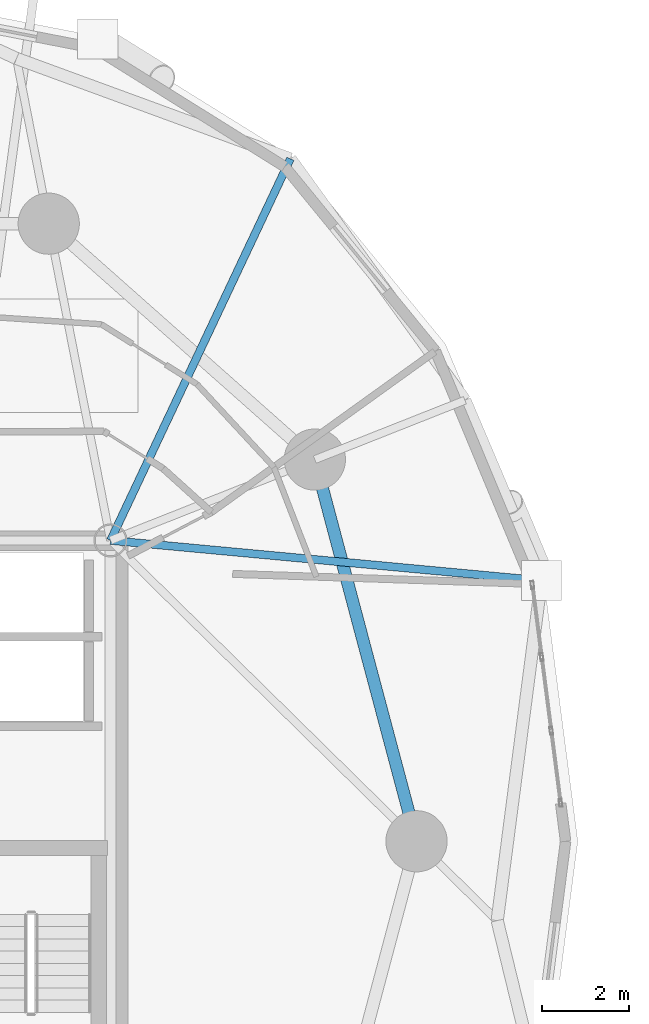
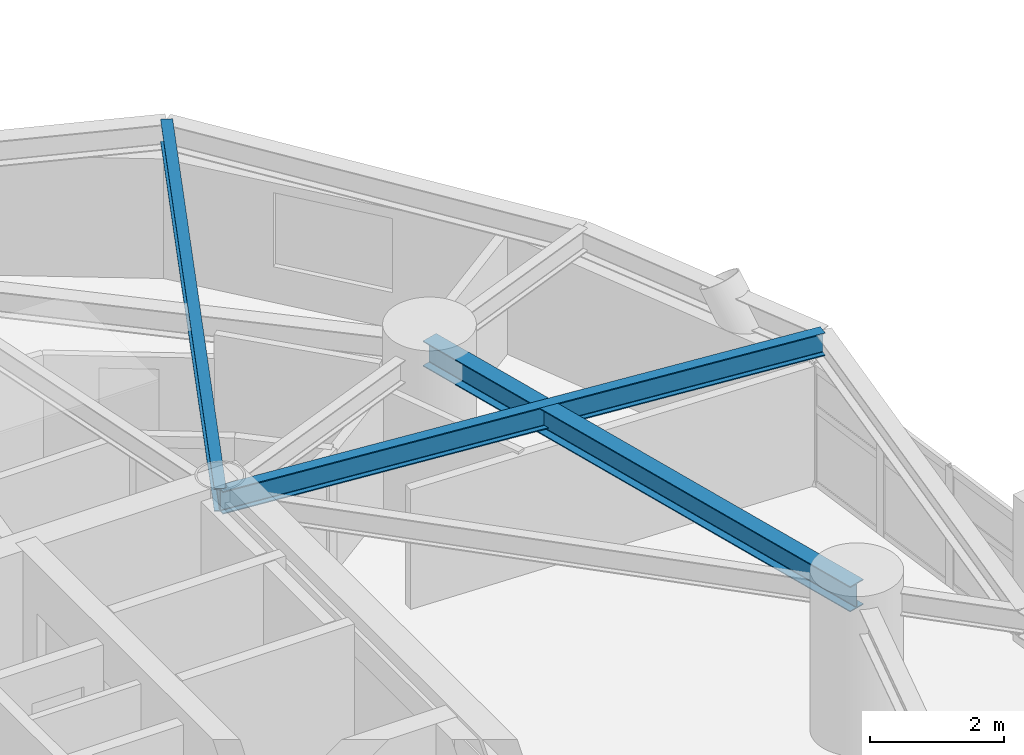
# One storey, part 3 of 18: 3 beams.
"""IFC4 building model written with IfcOpenShell, lengths in metres."""

from ifc_helpers import new_model, si_unit, direction, frame, origin, origin_2d, place, context, subcontext, project, spatial, i_section, extrude, material, material_profile, profile_set, type_object, element, save


model = new_model("IFC4")

# Units and contexts
model_context = context("Model", 3, precision=1e-05, world=origin(), true_north=direction((0.0, 1.0)))
body_context = subcontext(model_context, "Body", "Model", "MODEL_VIEW")
ifc_project = project(units=[si_unit("LENGTHUNIT", "METRE"), si_unit("AREAUNIT", "SQUARE_METRE"), si_unit("VOLUMEUNIT", "CUBIC_METRE"), si_unit("PLANEANGLEUNIT", "RADIAN"), si_unit("MASSUNIT", "GRAM", prefix="KILO")], contexts=[model_context])

# Site, building, storey
site_placement = place(None, origin())
site = spatial("IfcSite", under=ifc_project, at=site_placement, CompositionType="ELEMENT")
building_placement = place(site_placement, origin())
building = spatial("IfcBuilding", under=site, at=building_placement, Name="Cununo Teusaquillo Station Towers", CompositionType="ELEMENT")
storey_placement = place(building_placement, frame((0.0, 0.0, 110.889892578125)))
storey = spatial("IfcBuildingStorey", under=building, at=storey_placement, Name="L35", CompositionType="ELEMENT", Elevation=110.889892578125)

# Beams
ifc_material_1 = material(Name="Steel ASTM A572 Grade 50", Category="steel")
ifc_material_profile_1 = material_profile(ifc_material_1, i_section(OverallWidth=0.180908203125, OverallDepth=0.4169921875, WebThickness=0.010986328125, FlangeThickness=0.018310546875, FilletRadius=0.012939453125, at=origin_2d()), Name="W16X57")
ifc_profile_set_1 = profile_set([ifc_material_profile_1], Name="Steel ASTM A572 Grade 50")
beam_type_1 = type_object("IfcBeamType", Name="BM-JOIST-1", PredefinedType="JOIST", material=ifc_profile_set_1)
beam_1_placement = place(storey_placement, frame((21.675048828125, 31.3798828125, 2.461669921875), z_axis=(0.995678537907, -0.09286683558, 0.0), x_axis=(0.09286683558, 0.995678537907, 0.0)))
element("IfcBeam", 1, at=beam_1_placement, inside=storey, type_object=beam_type_1, Name="L35 Tower A Radial Spandrel Joist V01", PredefinedType="JOIST", context=body_context, shape_type="SweptSolid", body=[
    extrude(i_section(OverallWidth=0.180908203125, OverallDepth=0.4169921875, WebThickness=0.010986328125, FlangeThickness=0.018310546875, FilletRadius=0.012939453125, at=origin_2d()), origin(), (0.0, 0.0, 1.0), 9.895263671875),
])
beam_2_placement = place(storey_placement, frame((21.675048828125, 31.3798828125, 2.461669921875), z_axis=(0.426319838016, 0.904572493344, 0.0), x_axis=(-0.904572493344, 0.426319838016, 0.0)))
element("IfcBeam", 2, at=beam_2_placement, inside=storey, type_object=beam_type_1, Name="L35 Tower A Radial Spandrel Joist V03", PredefinedType="JOIST", context=body_context, shape_type="SweptSolid", body=[
    extrude(i_section(OverallWidth=0.180908203125, OverallDepth=0.4169921875, WebThickness=0.010986328125, FlangeThickness=0.018310546875, FilletRadius=0.012939453125, at=origin_2d()), origin(), (0.0, 0.0, 1.0), 9.646728515625),
])
ifc_material_2 = material(Name="Steel ASTM A572 Grade 50", Category="steel")
ifc_material_profile_2 = material_profile(ifc_material_2, i_section(OverallWidth=0.280029296875, OverallDepth=0.462890625, WebThickness=0.0107421875, FlangeThickness=0.017333984375, FilletRadius=0.013916015625, at=origin_2d()), Name="W18X76")
ifc_profile_set_2 = profile_set([ifc_material_profile_2], Name="Steel ASTM A572 Grade 50")
beam_type_2 = type_object("IfcBeamType", Name="BM-RING-Z2", PredefinedType="SPANDREL", material=ifc_profile_set_2)
beam_3_placement = place(storey_placement, frame((28.672119140625, 24.5, 2.438720703125), z_axis=(-0.257363196347, 0.966314744359, 0.0), x_axis=(-0.966314744359, -0.257363196347, 0.0)))
element("IfcBeam", 3, at=beam_3_placement, inside=storey, type_object=beam_type_2, Name="L35 Tower A Structural Column Ring Girder 01", PredefinedType="SPANDREL", context=body_context, shape_type="SweptSolid", body=[
    extrude(i_section(OverallWidth=0.280029296875, OverallDepth=0.462890625, WebThickness=0.0107421875, FlangeThickness=0.017333984375, FilletRadius=0.013916015625, at=origin_2d()), origin(), (0.0, 0.0, 1.0), 9.03271484375),
])

save(model, "model.ifc")
